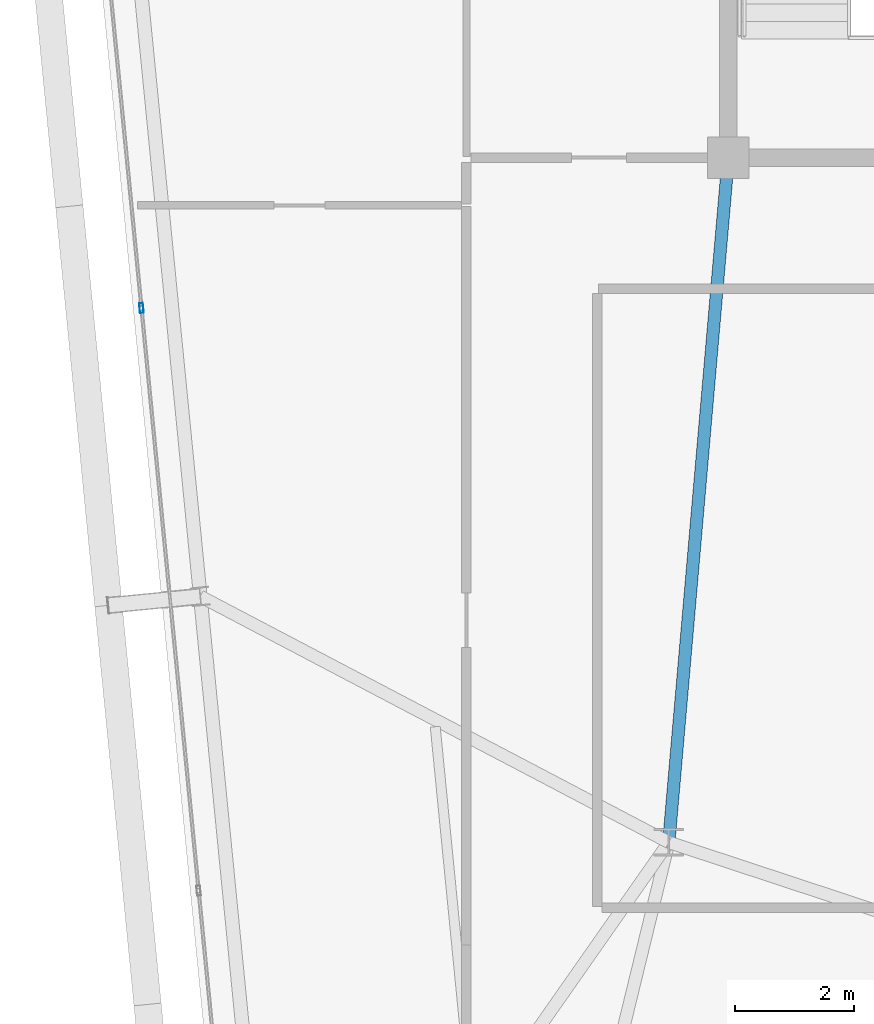
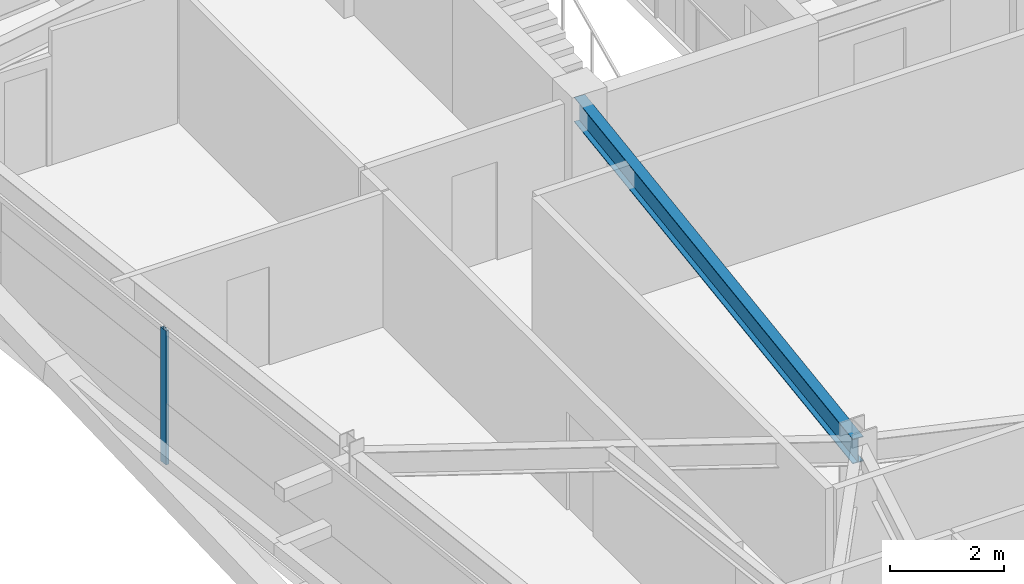
# One storey, part 13 of 47: 1 beam, 1 member, 1 element without a shape of its own.
"""IFC4 building model written with IfcOpenShell, lengths in metres."""

from ifc_helpers import new_model, si_unit, direction, frame, origin, origin_2d, place, context, subcontext, project, spatial, hollow_rectangle, i_section, extrude, source, transform, mapped, material, layer, layer_set, material_profile, profile_set, type_object, element, aggregate, save


model = new_model("IFC4")

# Units and contexts
model_context = context("Model", 3, precision=1e-05, world=origin(), true_north=direction((0.0, 1.0)))
body_context = subcontext(model_context, "Body", "Model", "MODEL_VIEW")
ifc_project = project(units=[si_unit("LENGTHUNIT", "METRE"), si_unit("AREAUNIT", "SQUARE_METRE"), si_unit("VOLUMEUNIT", "CUBIC_METRE"), si_unit("PLANEANGLEUNIT", "RADIAN"), si_unit("MASSUNIT", "GRAM", prefix="KILO")], contexts=[model_context])

# Site, building, storey
site_placement = place(None, origin())
site = spatial("IfcSite", under=ifc_project, at=site_placement, CompositionType="ELEMENT")
building_placement = place(site_placement, origin())
building = spatial("IfcBuilding", under=site, at=building_placement, Name="Taldren Reach Tower", CompositionType="ELEMENT")
storey_placement = place(building_placement, frame((0.0, 0.0, 109.199951171875)))
storey = spatial("IfcBuildingStorey", under=building, at=storey_placement, Name="L33", CompositionType="ELEMENT", Elevation=109.199951171875)

# Beam
ifc_material_1 = material(Name="Steel Gr 350 (350PLUS)", Category="steel")
ifc_material_profile_1 = material_profile(ifc_material_1, i_section(OverallWidth=0.208984375, OverallDepth=0.532958984375, WebThickness=0.01025390625, FlangeThickness=0.015625, at=origin_2d()), Name="530UB92.4")
ifc_profile_set_1 = profile_set([ifc_material_profile_1], Name="Steel Gr 350 (350PLUS)")
beam_type = type_object("IfcBeamType", Name="BM-UB530A", PredefinedType="BEAM", material=ifc_profile_set_1)
shared_shape_1 = source(origin(), body_context, "Body", "SweptSolid", [
    extrude(i_section(OverallWidth=0.208984375, OverallDepth=0.532958984375, WebThickness=0.01025390625, FlangeThickness=0.015625, at=origin_2d()), origin(), (0.0, 0.0, 1.0), 11.54345703125),
])
beam_placement = place(storey_placement, frame((19.0, 24.0, 2.603515625), z_axis=(-0.086629616365, -0.996240588196, 0.0), x_axis=(0.996240588196, -0.086629616365, 0.0)))
element("IfcBeam", 1, at=beam_placement, inside=storey, type_object=beam_type, Name="Core-spine girder L33-SP09", PredefinedType="BEAM", context=body_context, shape_type="MappedRepresentation", body=[
    mapped(shared_shape_1, transform((0.0, 0.0, 0.0), scale=1.0)),
])

# Curtain wall, member
ifc_material_2 = material(Name="Aluminium and Low-E Glass Unitised System", Category="aluminium")
ifc_layer = layer(ifc_material_2, 0.159912109375)
ifc_layer_set = layer_set([ifc_layer], Name="Aluminium and Low-E Glass Unitised System")
curtain_wall_type = type_object("IfcCurtainWallType", Name="CW-SYS-3", PredefinedType="NOTDEFINED", material=ifc_layer_set)
curtain_wall_placement = place(storey_placement, origin())
curtain_wall = element("IfcCurtainWall", 2, at=curtain_wall_placement, inside=storey, type_object=curtain_wall_type, Name="Unitised curtain wall CW-L33-W", PredefinedType="NOTDEFINED")
ifc_material_3 = material(Name="Anodised Aluminium 6063-T6", Category="aluminium")
ifc_material_profile_2 = material_profile(ifc_material_3, hollow_rectangle(XDim=0.06494140625, YDim=0.1650390625, WallThickness=0.00390625, at=origin_2d()), Name="ALU-165x65x4RHS")
ifc_profile_set_2 = profile_set([ifc_material_profile_2], Name="Anodised Aluminium 6063-T6")
member_type = type_object("IfcMemberType", Name="CW-MUL-165", PredefinedType="MULLION", material=ifc_profile_set_2)
shared_shape_2 = source(origin(), body_context, "Body", "SweptSolid", [
    extrude(hollow_rectangle(XDim=0.06494140625, YDim=0.1650390625, WallThickness=0.00390625, at=origin_2d()), origin(), (0.0, 0.0, 1.0), 2.8701171875),
])
member_placement = place(storey_placement, frame((9.14306640625, 21.474609375, 0.0), z_axis=(0.0, 0.0, 1.0), x_axis=(0.99522741555, 0.09758274098, 0.0)))
member = element("IfcMember", 3, at=member_placement, type_object=member_type, Name="CW-3 mullion 2", PredefinedType="MULLION", context=body_context, shape_type="MappedRepresentation", body=[
    mapped(shared_shape_2, transform((0.0, 0.0, 0.0), scale=1.0)),
])
aggregate(curtain_wall, [member])

save(model, "model.ifc")
